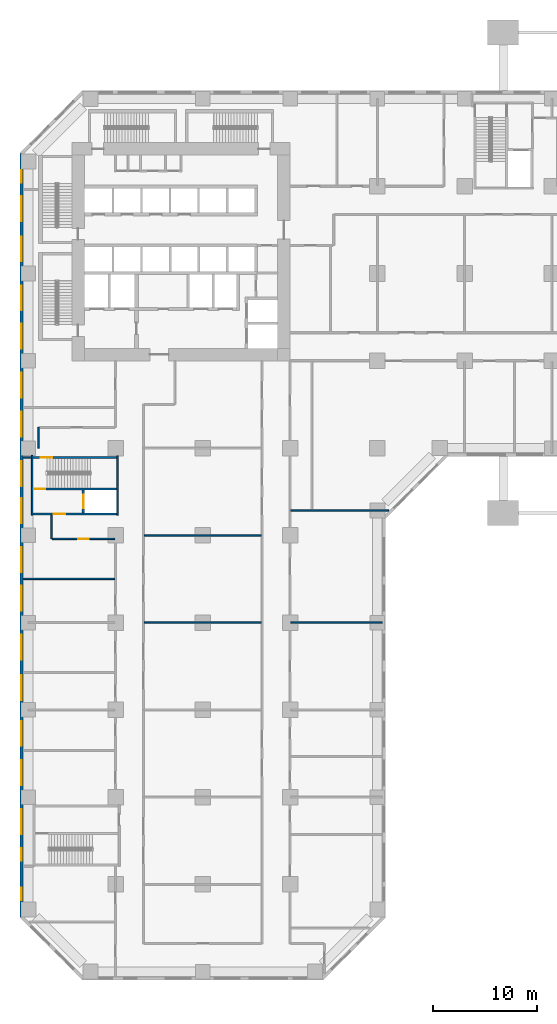
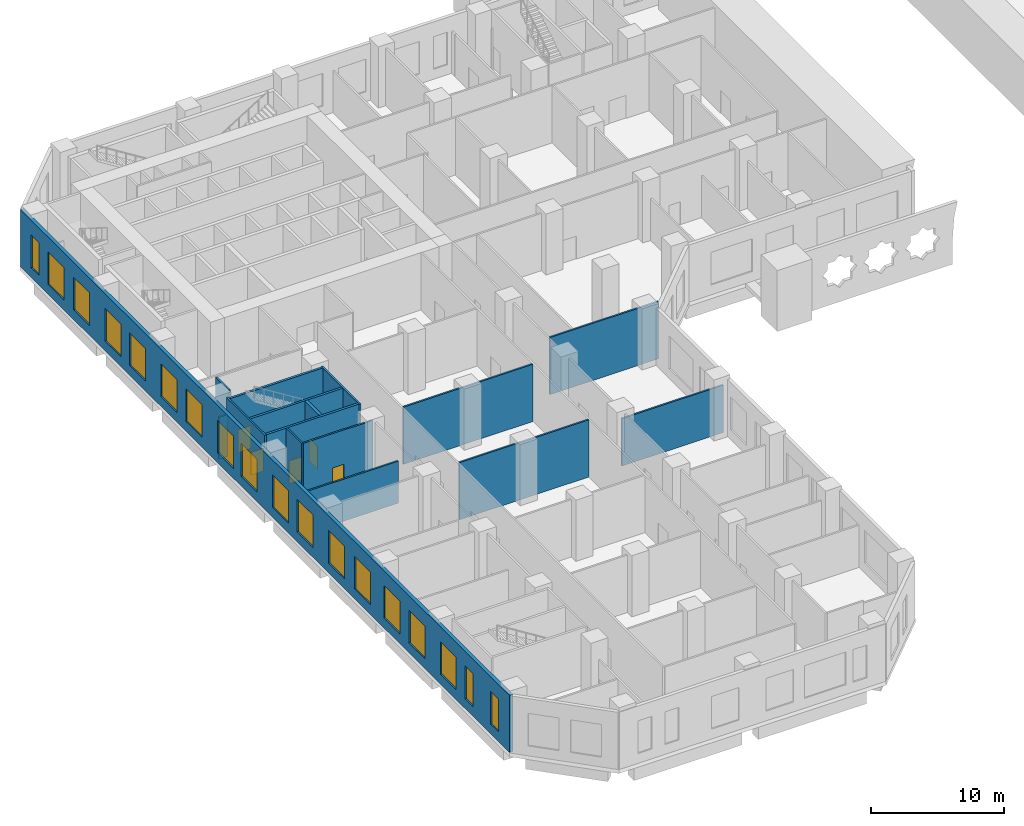
# One storey, part 4 of 17: 18 windows, 16 walls, 5 doors, 23 openings.
"""IFC4 building model written with IfcOpenShell, lengths in metres."""

from ifc_helpers import new_model, si_unit, direction, frame, frame_2d, origin, place, context, subcontext, project, spatial, rectangle, extrude, material, layer, layer_set, type_object, element, fill, save


model = new_model("IFC4")

# Units and contexts
model_context = context("Model", 3, precision=1e-05, world=origin(), true_north=direction((0.0, 1.0)))
body_context = subcontext(model_context, "Body", "Model", "MODEL_VIEW")
ifc_project = project(units=[si_unit("LENGTHUNIT", "METRE"), si_unit("AREAUNIT", "SQUARE_METRE"), si_unit("VOLUMEUNIT", "CUBIC_METRE"), si_unit("PLANEANGLEUNIT", "RADIAN"), si_unit("MASSUNIT", "GRAM", prefix="KILO")], contexts=[model_context])

# Site, building, storey
site_placement = place(None, origin())
site = spatial("IfcSite", under=ifc_project, at=site_placement, CompositionType="ELEMENT")
building_placement = place(site_placement, origin())
building = spatial("IfcBuilding", under=site, at=building_placement, Name="Kawkab Arch Medical Tower", CompositionType="ELEMENT")
storey_placement = place(building_placement, frame((0.0, 0.0, 7.0)))
storey = spatial("IfcBuildingStorey", under=building, at=storey_placement, Name="L02", CompositionType="ELEMENT", Elevation=7.0)

# Wall, opening, door
ifc_material_1 = material(Name="Concrete C60/75", Category="concrete")
ifc_layer_1 = layer(ifc_material_1, 0.25)
ifc_layer_set_1 = layer_set([ifc_layer_1], Name="Concrete C60/75")
wall_type_1 = type_object("IfcWallType", Name="Core shear wall 250 C60/75", PredefinedType="SHEAR", material=ifc_layer_set_1)
wall_1_placement = place(storey_placement, frame((5.300048828125, -39.85009765625, 0.0), z_axis=(0.0, 0.0, 1.0), x_axis=(0.0, 1.0, 0.0)))
wall_1 = element("IfcWall", 1, at=wall_1_placement, inside=storey, type_object=wall_type_1, Name="L02 core shear wall", PredefinedType="SHEAR", context=body_context, shape_type="SweptSolid", body=[
    extrude(rectangle(XDim=2.2001953125, YDim=0.25, at=frame_2d((1.10009765625, 0.0))), origin(), (0.0, 0.0, 1.0), 5.25),
])
opening_1_placement = place(wall_1_placement, frame((0.449951171875, 0.0, 0.0)))
opening_1 = element("IfcOpeningElement", 2, at=opening_1_placement, cuts=wall_1, Name="Opening LD2", PredefinedType="OPENING", context=body_context, shape_type="SweptSolid", body=[
    extrude(rectangle(XDim=1.300048828125, YDim=2.10009765625, at=frame_2d((0.64990234375, 1.050048828125))), frame((0.0, 0.135009765625, 0.0), z_axis=(0.0, -1.0, 0.0), x_axis=(1.0, 0.0, 0.0)), (0.0, 0.0, 1.0), 0.27001953125),
])
ifc_material_2 = material(Name="Stainless steel lift door leaf", Category="steel")
door_type_1 = type_object("IfcDoorType", Name="Lift landing door 1300", OperationType="DOUBLE_DOOR_SLIDING", PredefinedType="DOOR", material=ifc_material_2)
door_1_placement = place(opening_1_placement, origin())
door_1 = element("IfcDoor", 3, at=door_1_placement, inside=storey, type_object=door_type_1, Name="L02 Lift landing door SV2", OperationType="DOUBLE_DOOR_SLIDING", OverallHeight=2.10009765625, OverallWidth=1.300048828125, PredefinedType="DOOR", context=body_context, shape_type="SweptSolid", body=[
    extrude(rectangle(XDim=1.300048828125, YDim=2.10009765625, at=frame_2d((0.64990234375, 1.050048828125))), frame((0.0, 0.02490234375, 0.0), z_axis=(0.0, -1.0, 0.0), x_axis=(1.0, 0.0, 0.0)), (0.0, 0.0, 1.0), 0.050048828125),
])
fill(opening_1, door_1)

# Walls
ifc_material_3 = material(Name="Gypsum board partition on steel studs, mineral wool", Category="steel")
ifc_layer_2 = layer(ifc_material_3, 0.14990234375)
ifc_layer_set_2 = layer_set([ifc_layer_2], Name="Gypsum board partition on steel studs, mineral wool")
wall_type_2 = type_object("IfcWallType", Name="Partition 150", PredefinedType="PARTITIONING", material=ifc_layer_set_2)
wall_2_placement = place(storey_placement, frame((11.175048828125, -50.39990234375, 0.0), z_axis=(0.0, 0.0, 1.0), x_axis=(1.0, 0.0, 0.0)))
element("IfcWall", 4, at=wall_2_placement, inside=storey, type_object=wall_type_2, Name="Partition 150 w017", PredefinedType="PARTITIONING", context=body_context, shape_type="SweptSolid", body=[
    extrude(rectangle(XDim=11.25, YDim=0.14990234375, at=frame_2d((5.625, 0.0))), origin(), (0.0, 0.0, 1.0), 5.25),
])
wall_3_placement = place(storey_placement, frame((25.27490234375, -50.39990234375, 0.0), z_axis=(0.0, 0.0, 1.0), x_axis=(1.0, 0.0, 0.0)))
element("IfcWall", 5, at=wall_3_placement, inside=storey, type_object=wall_type_2, Name="Partition 150 w018", PredefinedType="PARTITIONING", context=body_context, shape_type="SweptSolid", body=[
    extrude(rectangle(XDim=8.80517578125, YDim=0.14990234375, at=frame_2d((4.402587890625, 0.0))), origin(), (0.0, 0.0, 1.0), 4.35009765625),
])
wall_4_placement = place(storey_placement, frame((-0.47998046875, -46.199951171875, 0.0), z_axis=(0.0, 0.0, 1.0), x_axis=(1.0, 0.0, 0.0)))
element("IfcWall", 6, at=wall_4_placement, inside=storey, type_object=wall_type_2, Name="Partition 150 w019", PredefinedType="PARTITIONING", context=body_context, shape_type="SweptSolid", body=[
    extrude(rectangle(XDim=8.804931640625, YDim=0.14990234375, at=frame_2d((4.40234375, 0.0))), origin(), (0.0, 0.0, 1.0), 3.85009765625),
])

# Wall, opening, door
wall_5_placement = place(storey_placement, frame((2.326904296875, -42.35009765625, 0.0), z_axis=(0.0, 0.0, 1.0), x_axis=(1.0, 0.0, 0.0)))
wall_5 = element("IfcWall", 7, at=wall_5_placement, inside=storey, type_object=wall_type_2, Name="Partition 150 w020", PredefinedType="PARTITIONING", context=body_context, shape_type="SweptSolid", body=[
    extrude(rectangle(XDim=5.998046875, YDim=0.14990234375, at=frame_2d((2.9990234375, 0.0))), origin(), (0.0, 0.0, 1.0), 5.25),
])
opening_2_placement = place(wall_5_placement, frame((2.4990234375, 0.0, 0.0)))
opening_2 = element("IfcOpeningElement", 8, at=opening_2_placement, cuts=wall_5, Name="Opening P02-044", PredefinedType="OPENING", context=body_context, shape_type="SweptSolid", body=[
    extrude(rectangle(XDim=1.0, YDim=2.10009765625, at=frame_2d((0.5, 1.050048828125))), frame((0.0, 0.0849609375, 0.0), z_axis=(0.0, -1.0, 0.0), x_axis=(1.0, 0.0, 0.0)), (0.0, 0.0, 1.0), 0.169921875),
])
ifc_material_4 = material(Name="Hollow metal door leaf")
door_type_2 = type_object("IfcDoorType", Name="Single door 1000x2100 FD30S", OperationType="NOTDEFINED", PredefinedType="DOOR", material=ifc_material_4)
door_2_placement = place(opening_2_placement, origin())
door_2 = element("IfcDoor", 9, at=door_2_placement, inside=storey, type_object=door_type_2, Name="Door P02-044", OperationType="SINGLE_SWING_RIGHT", OverallHeight=2.10009765625, OverallWidth=1.0, PredefinedType="DOOR", context=body_context, shape_type="SweptSolid", body=[
    extrude(rectangle(XDim=1.0, YDim=2.10009765625, at=frame_2d((0.5, 1.050048828125))), frame((0.0, 0.02490234375, 0.0), z_axis=(0.0, -1.0, 0.0), x_axis=(1.0, 0.0, 0.0)), (0.0, 0.0, 1.0), 0.050048828125),
])
fill(opening_2, door_2)

# Walls
wall_6_placement = place(storey_placement, frame((11.175048828125, -42.0, 0.0), z_axis=(0.0, 0.0, 1.0), x_axis=(1.0, 0.0, 0.0)))
element("IfcWall", 10, at=wall_6_placement, inside=storey, type_object=wall_type_2, Name="Partition 150 w021", PredefinedType="PARTITIONING", context=body_context, shape_type="SweptSolid", body=[
    extrude(rectangle(XDim=11.25, YDim=0.14990234375, at=frame_2d((5.625, 0.0))), origin(), (0.0, 0.0, 1.0), 5.25),
])
wall_7_placement = place(storey_placement, frame((25.27490234375, -39.60009765625, 0.0), z_axis=(0.0, 0.0, 1.0), x_axis=(1.0, 0.0, 0.0)))
element("IfcWall", 11, at=wall_7_placement, inside=storey, type_object=wall_type_2, Name="Partition 150 w022", PredefinedType="PARTITIONING", context=body_context, shape_type="SweptSolid", body=[
    extrude(rectangle(XDim=9.412109375, YDim=0.14990234375, at=frame_2d((4.7060546875, 0.0))), origin(), (0.0, 0.0, 1.0), 5.25),
])
wall_8_placement = place(storey_placement, frame((-0.47998046875, -34.5, 0.0), z_axis=(0.0, 0.0, 1.0), x_axis=(1.0, 0.0, 0.0)))
element("IfcWall", 12, at=wall_8_placement, inside=storey, type_object=wall_type_2, Name="Partition 150 w023", PredefinedType="PARTITIONING", context=body_context, shape_type="SweptSolid", body=[
    extrude(rectangle(XDim=0.75, YDim=0.14990234375, at=frame_2d((0.375, 0.0))), origin(), (0.0, 0.0, 1.0), 3.85009765625),
])
wall_9_placement = place(storey_placement, frame((1.0, -33.60009765625, 0.0), z_axis=(0.0, 0.0, 1.0), x_axis=(0.0, 1.0, 0.0)))
element("IfcWall", 13, at=wall_9_placement, inside=storey, type_object=wall_type_2, Name="Partition 150 w040", PredefinedType="PARTITIONING", context=body_context, shape_type="SweptSolid", body=[
    extrude(rectangle(XDim=1.9912109375, YDim=0.14990234375, at=frame_2d((0.99560546875, 0.0))), origin(), (0.0, 0.0, 1.0), 5.25),
])
wall_10_placement = place(storey_placement, frame((2.25, -42.347900390625, 0.0), z_axis=(0.0, 0.0, 1.0), x_axis=(0.0, 1.0, 0.0)))
element("IfcWall", 14, at=wall_10_placement, inside=storey, type_object=wall_type_2, Name="Partition 150 w041", PredefinedType="PARTITIONING", context=body_context, shape_type="SweptSolid", body=[
    extrude(rectangle(XDim=2.2978515625, YDim=0.14990234375, at=frame_2d((1.14892578125, 0.0))), origin(), (0.0, 0.0, 1.0), 5.25),
])

# Wall, openings, windows
ifc_material_5 = material(Name="Bronze clad insulated wall panel")
ifc_layer_3 = layer(ifc_material_5, 0.300048828125)
ifc_layer_set_3 = layer_set([ifc_layer_3], Name="Bronze clad insulated wall panel")
wall_type_3 = type_object("IfcWallType", Name="Podium external wall 300", PredefinedType="SOLIDWALL", material=ifc_layer_set_3)
wall_11_placement = place(storey_placement, frame((-0.64990234375, -5.26220703125, 0.0), z_axis=(0.0, 0.0, 1.0), x_axis=(0.0, -1.0, 0.0)))
wall_11 = element("IfcWall", 15, at=wall_11_placement, inside=storey, type_object=wall_type_3, Name="Podium external wall L02 R07", PredefinedType="SOLIDWALL", context=body_context, shape_type="SweptSolid", body=[
    extrude(rectangle(XDim=73.4755859375, YDim=0.300048828125, at=frame_2d((36.73779296875, 0.0))), origin(), (0.0, 0.0, 1.0), 5.25),
])
opening_3_placement = place(wall_11_placement, frame((1.6103515625, 0.0, 0.89990234375)))
opening_3 = element("IfcOpeningElement", 16, at=opening_3_placement, cuts=wall_11, Name="Opening PBW120-30-S9", PredefinedType="OPENING", context=body_context, shape_type="SweptSolid", body=[
    extrude(rectangle(XDim=1.199951171875, YDim=3.0, at=frame_2d((0.60009765625, 1.5))), frame((0.0, 0.159912109375, 0.0), z_axis=(0.0, -1.0, 0.0), x_axis=(1.0, 0.0, 0.0)), (0.0, 0.0, 1.0), 0.320068359375),
])
opening_4_placement = place(wall_11_placement, frame((4.122802734375, 0.0, 0.89990234375)))
opening_4 = element("IfcOpeningElement", 17, at=opening_4_placement, cuts=wall_11, Name="Opening PBW240-30-S9", PredefinedType="OPENING", context=body_context, shape_type="SweptSolid", body=[
    extrude(rectangle(XDim=2.39990234375, YDim=3.0, at=frame_2d((1.199951171875, 1.5))), frame((0.0, 0.159912109375, 0.0), z_axis=(0.0, -1.0, 0.0), x_axis=(1.0, 0.0, 0.0)), (0.0, 0.0, 1.0), 0.320068359375),
])
opening_5_placement = place(wall_11_placement, frame((7.977783203125, 0.0, 0.89990234375)))
opening_5 = element("IfcOpeningElement", 18, at=opening_5_placement, cuts=wall_11, Name="Opening PBW240-30-S9", PredefinedType="OPENING", context=body_context, shape_type="SweptSolid", body=[
    extrude(rectangle(XDim=2.39990234375, YDim=3.0, at=frame_2d((1.199951171875, 1.5))), frame((0.0, 0.159912109375, 0.0), z_axis=(0.0, -1.0, 0.0), x_axis=(1.0, 0.0, 0.0)), (0.0, 0.0, 1.0), 0.320068359375),
])
opening_6_placement = place(wall_11_placement, frame((12.697998046875, 0.0, 0.89990234375)))
opening_6 = element("IfcOpeningElement", 19, at=opening_6_placement, cuts=wall_11, Name="Opening PBW240-30-S9", PredefinedType="OPENING", context=body_context, shape_type="SweptSolid", body=[
    extrude(rectangle(XDim=2.39990234375, YDim=3.0, at=frame_2d((1.199951171875, 1.5))), frame((0.0, 0.159912109375, 0.0), z_axis=(0.0, -1.0, 0.0), x_axis=(1.0, 0.0, 0.0)), (0.0, 0.0, 1.0), 0.320068359375),
])
opening_7_placement = place(wall_11_placement, frame((16.3779296875, 0.0, 0.89990234375)))
opening_7 = element("IfcOpeningElement", 20, at=opening_7_placement, cuts=wall_11, Name="Opening PBW240-30-S9", PredefinedType="OPENING", context=body_context, shape_type="SweptSolid", body=[
    extrude(rectangle(XDim=2.39990234375, YDim=3.0, at=frame_2d((1.199951171875, 1.5))), frame((0.0, 0.159912109375, 0.0), z_axis=(0.0, -1.0, 0.0), x_axis=(1.0, 0.0, 0.0)), (0.0, 0.0, 1.0), 0.320068359375),
])
opening_8_placement = place(wall_11_placement, frame((21.097900390625, 0.0, 0.89990234375)))
opening_8 = element("IfcOpeningElement", 21, at=opening_8_placement, cuts=wall_11, Name="Opening PBW240-30-S9", PredefinedType="OPENING", context=body_context, shape_type="SweptSolid", body=[
    extrude(rectangle(XDim=2.39990234375, YDim=3.0, at=frame_2d((1.199951171875, 1.5))), frame((0.0, 0.159912109375, 0.0), z_axis=(0.0, -1.0, 0.0), x_axis=(1.0, 0.0, 0.0)), (0.0, 0.0, 1.0), 0.320068359375),
])
opening_9_placement = place(wall_11_placement, frame((24.86279296875, 0.0, 0.89990234375)))
opening_9 = element("IfcOpeningElement", 22, at=opening_9_placement, cuts=wall_11, Name="Opening PBW240-30-S9", PredefinedType="OPENING", context=body_context, shape_type="SweptSolid", body=[
    extrude(rectangle(XDim=2.39990234375, YDim=3.0, at=frame_2d((1.199951171875, 1.5))), frame((0.0, 0.159912109375, 0.0), z_axis=(0.0, -1.0, 0.0), x_axis=(1.0, 0.0, 0.0)), (0.0, 0.0, 1.0), 0.320068359375),
])
opening_10_placement = place(wall_11_placement, frame((29.622802734375, 0.0, 0.89990234375)))
opening_10 = element("IfcOpeningElement", 23, at=opening_10_placement, cuts=wall_11, Name="Opening PBW240-30-S9", PredefinedType="OPENING", context=body_context, shape_type="SweptSolid", body=[
    extrude(rectangle(XDim=2.39990234375, YDim=3.0, at=frame_2d((1.199951171875, 1.5))), frame((0.0, 0.159912109375, 0.0), z_axis=(0.0, -1.0, 0.0), x_axis=(1.0, 0.0, 0.0)), (0.0, 0.0, 1.0), 0.320068359375),
])
opening_11_placement = place(wall_11_placement, frame((33.177978515625, 0.0, 0.89990234375)))
opening_11 = element("IfcOpeningElement", 24, at=opening_11_placement, cuts=wall_11, Name="Opening PBW240-30-S9", PredefinedType="OPENING", context=body_context, shape_type="SweptSolid", body=[
    extrude(rectangle(XDim=2.39990234375, YDim=3.0, at=frame_2d((1.199951171875, 1.5))), frame((0.0, 0.159912109375, 0.0), z_axis=(0.0, -1.0, 0.0), x_axis=(1.0, 0.0, 0.0)), (0.0, 0.0, 1.0), 0.320068359375),
])
opening_12_placement = place(wall_11_placement, frame((37.89794921875, 0.0, 0.89990234375)))
opening_12 = element("IfcOpeningElement", 25, at=opening_12_placement, cuts=wall_11, Name="Opening PBW240-30-S9", PredefinedType="OPENING", context=body_context, shape_type="SweptSolid", body=[
    extrude(rectangle(XDim=2.39990234375, YDim=3.0, at=frame_2d((1.199951171875, 1.5))), frame((0.0, 0.159912109375, 0.0), z_axis=(0.0, -1.0, 0.0), x_axis=(1.0, 0.0, 0.0)), (0.0, 0.0, 1.0), 0.320068359375),
])
opening_13_placement = place(wall_11_placement, frame((41.577880859375, 0.0, 0.89990234375)))
opening_13 = element("IfcOpeningElement", 26, at=opening_13_placement, cuts=wall_11, Name="Opening PBW240-30-S9", PredefinedType="OPENING", context=body_context, shape_type="SweptSolid", body=[
    extrude(rectangle(XDim=2.39990234375, YDim=3.0, at=frame_2d((1.199951171875, 1.5))), frame((0.0, 0.159912109375, 0.0), z_axis=(0.0, -1.0, 0.0), x_axis=(1.0, 0.0, 0.0)), (0.0, 0.0, 1.0), 0.320068359375),
])
opening_14_placement = place(wall_11_placement, frame((46.2978515625, 0.0, 0.89990234375)))
opening_14 = element("IfcOpeningElement", 27, at=opening_14_placement, cuts=wall_11, Name="Opening PBW240-30-S9", PredefinedType="OPENING", context=body_context, shape_type="SweptSolid", body=[
    extrude(rectangle(XDim=2.39990234375, YDim=3.0, at=frame_2d((1.199951171875, 1.5))), frame((0.0, 0.159912109375, 0.0), z_axis=(0.0, -1.0, 0.0), x_axis=(1.0, 0.0, 0.0)), (0.0, 0.0, 1.0), 0.320068359375),
])
opening_15_placement = place(wall_11_placement, frame((50.212890625, 0.0, 0.89990234375)))
opening_15 = element("IfcOpeningElement", 28, at=opening_15_placement, cuts=wall_11, Name="Opening PBW240-30-S9", PredefinedType="OPENING", context=body_context, shape_type="SweptSolid", body=[
    extrude(rectangle(XDim=2.39990234375, YDim=3.0, at=frame_2d((1.199951171875, 1.5))), frame((0.0, 0.159912109375, 0.0), z_axis=(0.0, -1.0, 0.0), x_axis=(1.0, 0.0, 0.0)), (0.0, 0.0, 1.0), 0.320068359375),
])
opening_16_placement = place(wall_11_placement, frame((54.61279296875, 0.0, 0.89990234375)))
opening_16 = element("IfcOpeningElement", 29, at=opening_16_placement, cuts=wall_11, Name="Opening PBW240-30-S9", PredefinedType="OPENING", context=body_context, shape_type="SweptSolid", body=[
    extrude(rectangle(XDim=2.39990234375, YDim=3.0, at=frame_2d((1.199951171875, 1.5))), frame((0.0, 0.159912109375, 0.0), z_axis=(0.0, -1.0, 0.0), x_axis=(1.0, 0.0, 0.0)), (0.0, 0.0, 1.0), 0.320068359375),
])
opening_17_placement = place(wall_11_placement, frame((58.3779296875, 0.0, 0.89990234375)))
opening_17 = element("IfcOpeningElement", 30, at=opening_17_placement, cuts=wall_11, Name="Opening PBW240-30-S9", PredefinedType="OPENING", context=body_context, shape_type="SweptSolid", body=[
    extrude(rectangle(XDim=2.39990234375, YDim=3.0, at=frame_2d((1.199951171875, 1.5))), frame((0.0, 0.159912109375, 0.0), z_axis=(0.0, -1.0, 0.0), x_axis=(1.0, 0.0, 0.0)), (0.0, 0.0, 1.0), 0.320068359375),
])
opening_18_placement = place(wall_11_placement, frame((63.097900390625, 0.0, 0.89990234375)))
opening_18 = element("IfcOpeningElement", 31, at=opening_18_placement, cuts=wall_11, Name="Opening PBW240-30-S9", PredefinedType="OPENING", context=body_context, shape_type="SweptSolid", body=[
    extrude(rectangle(XDim=2.39990234375, YDim=3.0, at=frame_2d((1.199951171875, 1.5))), frame((0.0, 0.159912109375, 0.0), z_axis=(0.0, -1.0, 0.0), x_axis=(1.0, 0.0, 0.0)), (0.0, 0.0, 1.0), 0.320068359375),
])
opening_19_placement = place(wall_11_placement, frame((66.837890625, 0.0, 0.89990234375)))
opening_19 = element("IfcOpeningElement", 32, at=opening_19_placement, cuts=wall_11, Name="Opening PBW120-30-S9", PredefinedType="OPENING", context=body_context, shape_type="SweptSolid", body=[
    extrude(rectangle(XDim=1.199951171875, YDim=3.0, at=frame_2d((0.60009765625, 1.5))), frame((0.0, 0.159912109375, 0.0), z_axis=(0.0, -1.0, 0.0), x_axis=(1.0, 0.0, 0.0)), (0.0, 0.0, 1.0), 0.320068359375),
])
opening_20_placement = place(wall_11_placement, frame((70.665283203125, 0.0, 0.89990234375)))
opening_20 = element("IfcOpeningElement", 33, at=opening_20_placement, cuts=wall_11, Name="Opening PBW120-30-S9", PredefinedType="OPENING", context=body_context, shape_type="SweptSolid", body=[
    extrude(rectangle(XDim=1.199951171875, YDim=3.0, at=frame_2d((0.60009765625, 1.5))), frame((0.0, 0.159912109375, 0.0), z_axis=(0.0, -1.0, 0.0), x_axis=(1.0, 0.0, 0.0)), (0.0, 0.0, 1.0), 0.320068359375),
])
ifc_material_6 = material(Name="Bronze anodised aluminium louvred window", Category="aluminium")
window_type_1 = type_object("IfcWindowType", Name="Podium band window 1200 x 3000 sill 900", PartitioningType="DOUBLE_PANEL_VERTICAL", PredefinedType="WINDOW", material=ifc_material_6)
window_1_placement = place(opening_3_placement, origin())
window_1 = element("IfcWindow", 34, at=window_1_placement, inside=storey, type_object=window_type_1, Name="Band window L02 R07.1", OverallHeight=3.0, OverallWidth=1.199951171875, PartitioningType="SINGLE_PANEL", PredefinedType="WINDOW", context=body_context, shape_type="SweptSolid", body=[
    extrude(rectangle(XDim=1.199951171875, YDim=3.0, at=frame_2d((0.60009765625, 1.5))), frame((0.0, 0.030029296875, 0.0), z_axis=(0.0, -1.0, 0.0), x_axis=(1.0, 0.0, 0.0)), (0.0, 0.0, 1.0), 0.06005859375),
])
fill(opening_3, window_1)
window_2_placement = place(opening_19_placement, origin())
window_2 = element("IfcWindow", 35, at=window_2_placement, inside=storey, type_object=window_type_1, Name="Band window L02 R07.17", OverallHeight=3.0, OverallWidth=1.199951171875, PartitioningType="SINGLE_PANEL", PredefinedType="WINDOW", context=body_context, shape_type="SweptSolid", body=[
    extrude(rectangle(XDim=1.199951171875, YDim=3.0, at=frame_2d((0.60009765625, 1.5))), frame((0.0, 0.030029296875, 0.0), z_axis=(0.0, -1.0, 0.0), x_axis=(1.0, 0.0, 0.0)), (0.0, 0.0, 1.0), 0.06005859375),
])
fill(opening_19, window_2)
window_3_placement = place(opening_20_placement, origin())
window_3 = element("IfcWindow", 36, at=window_3_placement, inside=storey, type_object=window_type_1, Name="Band window L02 R07.18", OverallHeight=3.0, OverallWidth=1.199951171875, PartitioningType="SINGLE_PANEL", PredefinedType="WINDOW", context=body_context, shape_type="SweptSolid", body=[
    extrude(rectangle(XDim=1.199951171875, YDim=3.0, at=frame_2d((0.60009765625, 1.5))), frame((0.0, 0.030029296875, 0.0), z_axis=(0.0, -1.0, 0.0), x_axis=(1.0, 0.0, 0.0)), (0.0, 0.0, 1.0), 0.06005859375),
])
fill(opening_20, window_3)
ifc_material_7 = material(Name="Bronze anodised aluminium louvred window", Category="aluminium")
window_type_2 = type_object("IfcWindowType", Name="Podium band window 2400 x 3000 sill 900", PartitioningType="DOUBLE_PANEL_VERTICAL", PredefinedType="WINDOW", material=ifc_material_7)
window_4_placement = place(opening_4_placement, origin())
window_4 = element("IfcWindow", 37, at=window_4_placement, inside=storey, type_object=window_type_2, Name="Band window L02 R07.2", OverallHeight=3.0, OverallWidth=2.39990234375, PartitioningType="SINGLE_PANEL", PredefinedType="WINDOW", context=body_context, shape_type="SweptSolid", body=[
    extrude(rectangle(XDim=2.39990234375, YDim=3.0, at=frame_2d((1.199951171875, 1.5))), frame((0.0, 0.030029296875, 0.0), z_axis=(0.0, -1.0, 0.0), x_axis=(1.0, 0.0, 0.0)), (0.0, 0.0, 1.0), 0.06005859375),
])
fill(opening_4, window_4)
window_5_placement = place(opening_5_placement, origin())
window_5 = element("IfcWindow", 38, at=window_5_placement, inside=storey, type_object=window_type_2, Name="Band window L02 R07.3", OverallHeight=3.0, OverallWidth=2.39990234375, PartitioningType="SINGLE_PANEL", PredefinedType="WINDOW", context=body_context, shape_type="SweptSolid", body=[
    extrude(rectangle(XDim=2.39990234375, YDim=3.0, at=frame_2d((1.199951171875, 1.5))), frame((0.0, 0.030029296875, 0.0), z_axis=(0.0, -1.0, 0.0), x_axis=(1.0, 0.0, 0.0)), (0.0, 0.0, 1.0), 0.06005859375),
])
fill(opening_5, window_5)
window_6_placement = place(opening_6_placement, origin())
window_6 = element("IfcWindow", 39, at=window_6_placement, inside=storey, type_object=window_type_2, Name="Band window L02 R07.4", OverallHeight=3.0, OverallWidth=2.39990234375, PartitioningType="SINGLE_PANEL", PredefinedType="WINDOW", context=body_context, shape_type="SweptSolid", body=[
    extrude(rectangle(XDim=2.39990234375, YDim=3.0, at=frame_2d((1.199951171875, 1.5))), frame((0.0, 0.030029296875, 0.0), z_axis=(0.0, -1.0, 0.0), x_axis=(1.0, 0.0, 0.0)), (0.0, 0.0, 1.0), 0.06005859375),
])
fill(opening_6, window_6)
window_7_placement = place(opening_7_placement, origin())
window_7 = element("IfcWindow", 40, at=window_7_placement, inside=storey, type_object=window_type_2, Name="Band window L02 R07.5", OverallHeight=3.0, OverallWidth=2.39990234375, PartitioningType="SINGLE_PANEL", PredefinedType="WINDOW", context=body_context, shape_type="SweptSolid", body=[
    extrude(rectangle(XDim=2.39990234375, YDim=3.0, at=frame_2d((1.199951171875, 1.5))), frame((0.0, 0.030029296875, 0.0), z_axis=(0.0, -1.0, 0.0), x_axis=(1.0, 0.0, 0.0)), (0.0, 0.0, 1.0), 0.06005859375),
])
fill(opening_7, window_7)
window_8_placement = place(opening_8_placement, origin())
window_8 = element("IfcWindow", 41, at=window_8_placement, inside=storey, type_object=window_type_2, Name="Band window L02 R07.6", OverallHeight=3.0, OverallWidth=2.39990234375, PartitioningType="SINGLE_PANEL", PredefinedType="WINDOW", context=body_context, shape_type="SweptSolid", body=[
    extrude(rectangle(XDim=2.39990234375, YDim=3.0, at=frame_2d((1.199951171875, 1.5))), frame((0.0, 0.030029296875, 0.0), z_axis=(0.0, -1.0, 0.0), x_axis=(1.0, 0.0, 0.0)), (0.0, 0.0, 1.0), 0.06005859375),
])
fill(opening_8, window_8)
window_9_placement = place(opening_9_placement, origin())
window_9 = element("IfcWindow", 42, at=window_9_placement, inside=storey, type_object=window_type_2, Name="Band window L02 R07.7", OverallHeight=3.0, OverallWidth=2.39990234375, PartitioningType="SINGLE_PANEL", PredefinedType="WINDOW", context=body_context, shape_type="SweptSolid", body=[
    extrude(rectangle(XDim=2.39990234375, YDim=3.0, at=frame_2d((1.199951171875, 1.5))), frame((0.0, 0.030029296875, 0.0), z_axis=(0.0, -1.0, 0.0), x_axis=(1.0, 0.0, 0.0)), (0.0, 0.0, 1.0), 0.06005859375),
])
fill(opening_9, window_9)
window_10_placement = place(opening_10_placement, origin())
window_10 = element("IfcWindow", 43, at=window_10_placement, inside=storey, type_object=window_type_2, Name="Band window L02 R07.8", OverallHeight=3.0, OverallWidth=2.39990234375, PartitioningType="SINGLE_PANEL", PredefinedType="WINDOW", context=body_context, shape_type="SweptSolid", body=[
    extrude(rectangle(XDim=2.39990234375, YDim=3.0, at=frame_2d((1.199951171875, 1.5))), frame((0.0, 0.030029296875, 0.0), z_axis=(0.0, -1.0, 0.0), x_axis=(1.0, 0.0, 0.0)), (0.0, 0.0, 1.0), 0.06005859375),
])
fill(opening_10, window_10)
window_11_placement = place(opening_11_placement, origin())
window_11 = element("IfcWindow", 44, at=window_11_placement, inside=storey, type_object=window_type_2, Name="Band window L02 R07.9", OverallHeight=3.0, OverallWidth=2.39990234375, PartitioningType="SINGLE_PANEL", PredefinedType="WINDOW", context=body_context, shape_type="SweptSolid", body=[
    extrude(rectangle(XDim=2.39990234375, YDim=3.0, at=frame_2d((1.199951171875, 1.5))), frame((0.0, 0.030029296875, 0.0), z_axis=(0.0, -1.0, 0.0), x_axis=(1.0, 0.0, 0.0)), (0.0, 0.0, 1.0), 0.06005859375),
])
fill(opening_11, window_11)
window_12_placement = place(opening_12_placement, origin())
window_12 = element("IfcWindow", 45, at=window_12_placement, inside=storey, type_object=window_type_2, Name="Band window L02 R07.10", OverallHeight=3.0, OverallWidth=2.39990234375, PartitioningType="SINGLE_PANEL", PredefinedType="WINDOW", context=body_context, shape_type="SweptSolid", body=[
    extrude(rectangle(XDim=2.39990234375, YDim=3.0, at=frame_2d((1.199951171875, 1.5))), frame((0.0, 0.030029296875, 0.0), z_axis=(0.0, -1.0, 0.0), x_axis=(1.0, 0.0, 0.0)), (0.0, 0.0, 1.0), 0.06005859375),
])
fill(opening_12, window_12)
window_13_placement = place(opening_13_placement, origin())
window_13 = element("IfcWindow", 46, at=window_13_placement, inside=storey, type_object=window_type_2, Name="Band window L02 R07.11", OverallHeight=3.0, OverallWidth=2.39990234375, PartitioningType="SINGLE_PANEL", PredefinedType="WINDOW", context=body_context, shape_type="SweptSolid", body=[
    extrude(rectangle(XDim=2.39990234375, YDim=3.0, at=frame_2d((1.199951171875, 1.5))), frame((0.0, 0.030029296875, 0.0), z_axis=(0.0, -1.0, 0.0), x_axis=(1.0, 0.0, 0.0)), (0.0, 0.0, 1.0), 0.06005859375),
])
fill(opening_13, window_13)
window_14_placement = place(opening_14_placement, origin())
window_14 = element("IfcWindow", 47, at=window_14_placement, inside=storey, type_object=window_type_2, Name="Band window L02 R07.12", OverallHeight=3.0, OverallWidth=2.39990234375, PartitioningType="SINGLE_PANEL", PredefinedType="WINDOW", context=body_context, shape_type="SweptSolid", body=[
    extrude(rectangle(XDim=2.39990234375, YDim=3.0, at=frame_2d((1.199951171875, 1.5))), frame((0.0, 0.030029296875, 0.0), z_axis=(0.0, -1.0, 0.0), x_axis=(1.0, 0.0, 0.0)), (0.0, 0.0, 1.0), 0.06005859375),
])
fill(opening_14, window_14)
window_15_placement = place(opening_15_placement, origin())
window_15 = element("IfcWindow", 48, at=window_15_placement, inside=storey, type_object=window_type_2, Name="Band window L02 R07.13", OverallHeight=3.0, OverallWidth=2.39990234375, PartitioningType="SINGLE_PANEL", PredefinedType="WINDOW", context=body_context, shape_type="SweptSolid", body=[
    extrude(rectangle(XDim=2.39990234375, YDim=3.0, at=frame_2d((1.199951171875, 1.5))), frame((0.0, 0.030029296875, 0.0), z_axis=(0.0, -1.0, 0.0), x_axis=(1.0, 0.0, 0.0)), (0.0, 0.0, 1.0), 0.06005859375),
])
fill(opening_15, window_15)
window_16_placement = place(opening_16_placement, origin())
window_16 = element("IfcWindow", 49, at=window_16_placement, inside=storey, type_object=window_type_2, Name="Band window L02 R07.14", OverallHeight=3.0, OverallWidth=2.39990234375, PartitioningType="SINGLE_PANEL", PredefinedType="WINDOW", context=body_context, shape_type="SweptSolid", body=[
    extrude(rectangle(XDim=2.39990234375, YDim=3.0, at=frame_2d((1.199951171875, 1.5))), frame((0.0, 0.030029296875, 0.0), z_axis=(0.0, -1.0, 0.0), x_axis=(1.0, 0.0, 0.0)), (0.0, 0.0, 1.0), 0.06005859375),
])
fill(opening_16, window_16)
window_17_placement = place(opening_17_placement, origin())
window_17 = element("IfcWindow", 50, at=window_17_placement, inside=storey, type_object=window_type_2, Name="Band window L02 R07.15", OverallHeight=3.0, OverallWidth=2.39990234375, PartitioningType="SINGLE_PANEL", PredefinedType="WINDOW", context=body_context, shape_type="SweptSolid", body=[
    extrude(rectangle(XDim=2.39990234375, YDim=3.0, at=frame_2d((1.199951171875, 1.5))), frame((0.0, 0.030029296875, 0.0), z_axis=(0.0, -1.0, 0.0), x_axis=(1.0, 0.0, 0.0)), (0.0, 0.0, 1.0), 0.06005859375),
])
fill(opening_17, window_17)
window_18_placement = place(opening_18_placement, origin())
window_18 = element("IfcWindow", 51, at=window_18_placement, inside=storey, type_object=window_type_2, Name="Band window L02 R07.16", OverallHeight=3.0, OverallWidth=2.39990234375, PartitioningType="SINGLE_PANEL", PredefinedType="WINDOW", context=body_context, shape_type="SweptSolid", body=[
    extrude(rectangle(XDim=2.39990234375, YDim=3.0, at=frame_2d((1.199951171875, 1.5))), frame((0.0, 0.030029296875, 0.0), z_axis=(0.0, -1.0, 0.0), x_axis=(1.0, 0.0, 0.0)), (0.0, 0.0, 1.0), 0.06005859375),
])
fill(opening_18, window_18)

# Walls
ifc_material_8 = material(Name="Concrete C50/60", Category="concrete")
ifc_layer_4 = layer(ifc_material_8, 0.14990234375)
ifc_layer_set_4 = layer_set([ifc_layer_4], Name="Concrete C50/60")
wall_type_4 = type_object("IfcWallType", Name="Stair enclosure wall 150 C50/60", PredefinedType="SHEAR", material=ifc_layer_set_4)
wall_12_placement = place(storey_placement, frame((0.375, -40.050048828125, 0.0), z_axis=(0.0, 0.0, 1.0), x_axis=(0.0, 1.0, 0.0)))
element("IfcWall", 52, at=wall_12_placement, inside=storey, type_object=wall_type_4, Name="L02 stair enclosure wall", PredefinedType="SHEAR", context=body_context, shape_type="SweptSolid", body=[
    extrude(rectangle(XDim=5.75, YDim=0.14990234375, at=frame_2d((2.875, 0.0))), origin(), (0.0, 0.0, 1.0), 5.25),
])
wall_13_placement = place(storey_placement, frame((8.574951171875, -40.050048828125, 0.0), z_axis=(0.0, 0.0, 1.0), x_axis=(0.0, 1.0, 0.0)))
element("IfcWall", 53, at=wall_13_placement, inside=storey, type_object=wall_type_4, Name="L02 stair enclosure wall", PredefinedType="SHEAR", context=body_context, shape_type="SweptSolid", body=[
    extrude(rectangle(XDim=5.699951171875, YDim=0.14990234375, at=frame_2d((2.85009765625, 0.0))), origin(), (0.0, 0.0, 1.0), 5.25),
])

# Wall, opening, door
ifc_material_9 = material(Name="Concrete C50/60", Category="concrete")
ifc_layer_5 = layer(ifc_material_9, 0.199951171875)
ifc_layer_set_5 = layer_set([ifc_layer_5], Name="Concrete C50/60")
wall_type_5 = type_object("IfcWallType", Name="Stair enclosure wall 200 C50/60", PredefinedType="SHEAR", material=ifc_layer_set_5)
wall_14_placement = place(storey_placement, frame((0.449951171875, -34.5, 0.0), z_axis=(0.0, 0.0, 1.0), x_axis=(1.0, 0.0, 0.0)))
wall_14 = element("IfcWall", 54, at=wall_14_placement, inside=storey, type_object=wall_type_5, Name="L02 stair enclosure wall", PredefinedType="SHEAR", context=body_context, shape_type="SweptSolid", body=[
    extrude(rectangle(XDim=8.050048828125, YDim=0.199951171875, at=frame_2d((4.02490234375, 0.0))), origin(), (0.0, 0.0, 1.0), 5.25),
])
opening_21_placement = place(wall_14_placement, frame((0.75, 0.0, 0.0)))
opening_21 = element("IfcOpeningElement", 55, at=opening_21_placement, cuts=wall_14, Name="Opening SD", PredefinedType="OPENING", context=body_context, shape_type="SweptSolid", body=[
    extrude(rectangle(XDim=1.10009765625, YDim=2.10009765625, at=frame_2d((0.550048828125, 1.050048828125))), frame((0.0, 0.10986328125, 0.0), z_axis=(0.0, -1.0, 0.0), x_axis=(1.0, 0.0, 0.0)), (0.0, 0.0, 1.0), 0.219970703125),
])
ifc_material_10 = material(Name="Hollow metal fire door leaf")
door_type_3 = type_object("IfcDoorType", Name="Exit stair door 1100", OperationType="SINGLE_SWING_LEFT", PredefinedType="DOOR", material=ifc_material_10)
door_3_placement = place(opening_21_placement, origin())
door_3 = element("IfcDoor", 56, at=door_3_placement, inside=storey, type_object=door_type_3, Name="L02 Exit stair ST6 door", OperationType="SINGLE_SWING_LEFT", OverallHeight=2.10009765625, OverallWidth=1.10009765625, PredefinedType="DOOR", context=body_context, shape_type="SweptSolid", body=[
    extrude(rectangle(XDim=1.10009765625, YDim=2.10009765625, at=frame_2d((0.550048828125, 1.050048828125))), frame((0.0, 0.02490234375, 0.0), z_axis=(0.0, -1.0, 0.0), x_axis=(1.0, 0.0, 0.0)), (0.0, 0.0, 1.0), 0.050048828125),
])
fill(opening_21, door_3)

wall_15_placement = place(storey_placement, frame((0.449951171875, -37.550048828125, 0.0), z_axis=(0.0, 0.0, 1.0), x_axis=(1.0, 0.0, 0.0)))
wall_15 = element("IfcWall", 57, at=wall_15_placement, inside=storey, type_object=wall_type_5, Name="L02 stair enclosure wall", PredefinedType="SHEAR", context=body_context, shape_type="SweptSolid", body=[
    extrude(rectangle(XDim=8.050048828125, YDim=0.199951171875, at=frame_2d((4.02490234375, 0.0))), origin(), (0.0, 0.0, 1.0), 5.25),
])
opening_22_placement = place(wall_15_placement, frame((0.10009765625, 0.0, 0.0)))
opening_22 = element("IfcOpeningElement", 58, at=opening_22_placement, cuts=wall_15, Name="Opening SD", PredefinedType="OPENING", context=body_context, shape_type="SweptSolid", body=[
    extrude(rectangle(XDim=1.10009765625, YDim=2.10009765625, at=frame_2d((0.550048828125, 1.050048828125))), frame((0.0, 0.10986328125, 0.0), z_axis=(0.0, -1.0, 0.0), x_axis=(1.0, 0.0, 0.0)), (0.0, 0.0, 1.0), 0.219970703125),
])
door_4_placement = place(opening_22_placement, frame((1.10009765625, 0.0, 0.0), z_axis=(0.0, 0.0, 1.0), x_axis=(-1.0, 0.0, 0.0)))
door_4 = element("IfcDoor", 59, at=door_4_placement, inside=storey, type_object=door_type_3, Name="L02 Exit stair ST6 lobby door", OperationType="SINGLE_SWING_LEFT", OverallHeight=2.10009765625, OverallWidth=1.10009765625, PredefinedType="DOOR", context=body_context, shape_type="SweptSolid", body=[
    extrude(rectangle(XDim=1.10009765625, YDim=2.10009765625, at=frame_2d((0.550048828125, 1.050048828125))), frame((0.0, 0.02490234375, 0.0), z_axis=(0.0, -1.0, 0.0), x_axis=(1.0, 0.0, 0.0)), (0.0, 0.0, 1.0), 0.050048828125),
])
fill(opening_22, door_4)

wall_16_placement = place(storey_placement, frame((0.449951171875, -39.949951171875, 0.0), z_axis=(0.0, 0.0, 1.0), x_axis=(1.0, 0.0, 0.0)))
wall_16 = element("IfcWall", 60, at=wall_16_placement, inside=storey, type_object=wall_type_5, Name="L02 stair enclosure wall", PredefinedType="SHEAR", context=body_context, shape_type="SweptSolid", body=[
    extrude(rectangle(XDim=8.050048828125, YDim=0.199951171875, at=frame_2d((4.02490234375, 0.0))), origin(), (0.0, 0.0, 1.0), 5.25),
])
opening_23_placement = place(wall_16_placement, frame((2.0, 0.0, 0.0)))
opening_23 = element("IfcOpeningElement", 61, at=opening_23_placement, cuts=wall_16, Name="Opening FD", PredefinedType="OPENING", context=body_context, shape_type="SweptSolid", body=[
    extrude(rectangle(XDim=1.10009765625, YDim=2.10009765625, at=frame_2d((0.550048828125, 1.050048828125))), frame((0.0, 0.10986328125, 0.0), z_axis=(0.0, -1.0, 0.0), x_axis=(1.0, 0.0, 0.0)), (0.0, 0.0, 1.0), 0.219970703125),
])
ifc_material_11 = material(Name="Hollow metal fire door leaf")
door_type_4 = type_object("IfcDoorType", Name="Firefighting lobby door 1100", OperationType="SINGLE_SWING_LEFT", PredefinedType="DOOR", material=ifc_material_11)
door_5_placement = place(opening_23_placement, origin())
door_5 = element("IfcDoor", 62, at=door_5_placement, inside=storey, type_object=door_type_4, Name="L02 Service lift lobby door SV2", OperationType="SINGLE_SWING_LEFT", OverallHeight=2.10009765625, OverallWidth=1.10009765625, PredefinedType="DOOR", context=body_context, shape_type="SweptSolid", body=[
    extrude(rectangle(XDim=1.10009765625, YDim=2.10009765625, at=frame_2d((0.550048828125, 1.050048828125))), frame((0.0, 0.02490234375, 0.0), z_axis=(0.0, -1.0, 0.0), x_axis=(1.0, 0.0, 0.0)), (0.0, 0.0, 1.0), 0.050048828125),
])
fill(opening_23, door_5)

save(model, "model.ifc")
